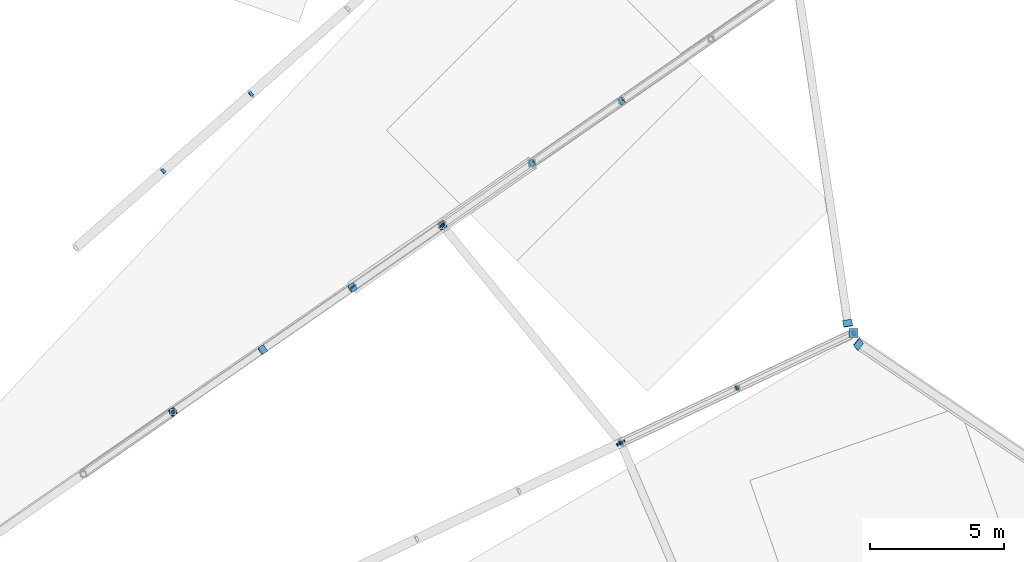
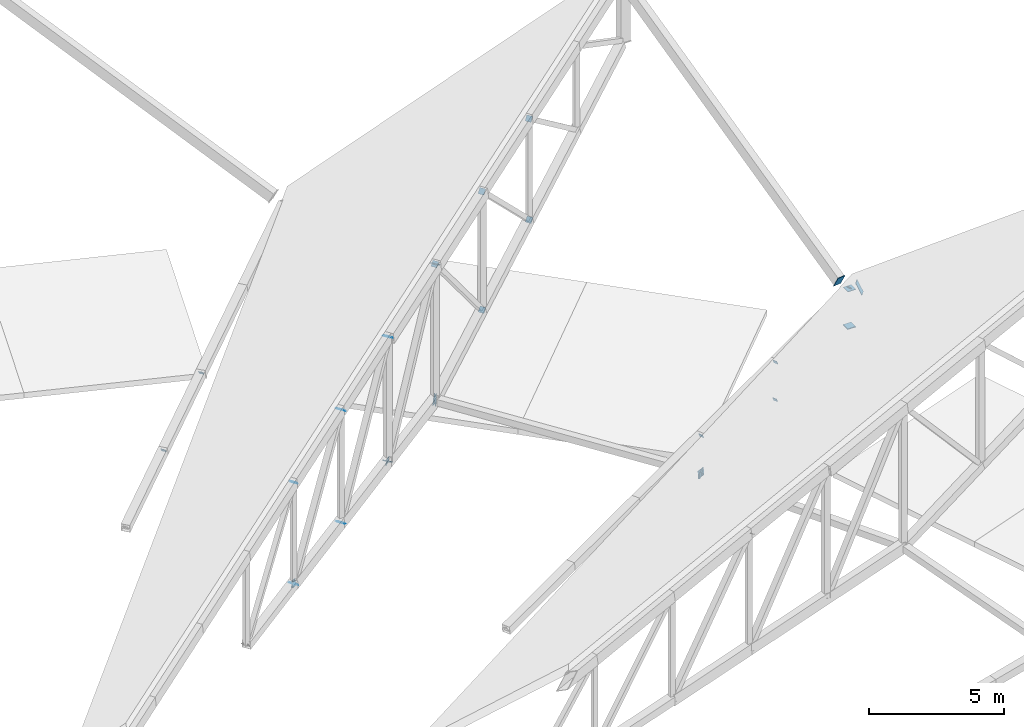
# One storey, part 183 of 188: 31 discrete accessories.
"""IFC4 building model written with IfcOpenShell, lengths in metres."""

from ifc_helpers import new_model, si_unit, direction, frame, origin, origin_2d, place, context, subcontext, project, spatial, rectangle, extrude, material, material_profile, profile_set, type_object, element, save


model = new_model("IFC4")

# Units and contexts
model_context = context("Model", 3, precision=1e-05, world=origin(), true_north=direction((0.0, 1.0)))
body_context = subcontext(model_context, "Body", "Model", "MODEL_VIEW")
ifc_project = project(units=[si_unit("LENGTHUNIT", "METRE"), si_unit("AREAUNIT", "SQUARE_METRE"), si_unit("VOLUMEUNIT", "CUBIC_METRE"), si_unit("PLANEANGLEUNIT", "RADIAN"), si_unit("MASSUNIT", "GRAM", prefix="KILO")], contexts=[model_context])

# Site, building, storey
site_placement = place(None, origin())
site = spatial("IfcSite", under=ifc_project, at=site_placement, CompositionType="ELEMENT")
building_placement = place(site_placement, origin())
building = spatial("IfcBuilding", under=site, at=building_placement, Name="Meseta Stadium", CompositionType="ELEMENT")
storey_placement = place(building_placement, frame((0.0, 0.0, 30.0)))
storey = spatial("IfcBuildingStorey", under=building, at=storey_placement, Name="ROOF", CompositionType="ELEMENT", Elevation=30.0)

# Discrete accessories
ifc_material_1 = material(Name="Steel S355", Category="steel")
ifc_material_profile_1 = material_profile(ifc_material_1, rectangle(XDim=0.179931640625, YDim=0.179931640625, at=origin_2d()), Name="PL 180x180")
ifc_profile_set_1 = profile_set([ifc_material_profile_1], Name="Steel S355")
discrete_accessory_type_1 = type_object("IfcDiscreteAccessoryType", Name="End plate 180x180x20", PredefinedType="ANCHORPLATE", material=ifc_profile_set_1)
for number, where, z_axis, x_axis, name in (
    (1, (78.4453125, 71.756103515625, 2.465087890625), (0.807162077407, 0.379121581812, 0.452499952486), (-0.425136471467, 0.905129261834, 0.0), "End plate of ROOF TRUSS RT-11 diagonal"),
    (2, (78.428955078125, 71.748291015625, 0.77685546875), (0.816223885151, 0.389838273505, 0.426385611646), (-0.430978873925, 0.90236201728, 0.0), "End plate of ROOF TRUSS RT-11 diagonal"),
    (3, (82.798095703125, 73.806396484375, 3.0205078125), (0.820435500181, 0.391849791131, 0.416340403077), (-0.430978873925, 0.90236201728, 0.0), "End plate of ROOF TRUSS RT-11 diagonal"),
    (4, (82.78173828125, 73.798583984375, 1.33251953125), (0.820435500181, 0.391849791131, 0.416340403077), (-0.430978873925, 0.90236201728, 0.0), "End plate of ROOF TRUSS RT-11 diagonal"),
    (5, (87.15087890625, 75.856689453125, 3.575927734375), (0.816223885151, 0.389838273505, 0.426385611646), (-0.430978873925, 0.90236201728, 0.0), "End plate of ROOF TRUSS RT-11 diagonal"),
    (6, (61.34521484375, 81.91259765625, 1.62451171875), (0.613369973061, 0.539765576293, 0.576567774677), (-0.660627894892, 0.750713516923, 0.0), "End plate of ROOF TRUSS RT-13 diagonal"),
    (7, (64.6220703125, 84.79248046875, 2.227783203125), (0.613369973061, 0.539765576293, 0.576567774677), (-0.660627894892, 0.750713516923, 0.0), "End plate of ROOF TRUSS RT-13 diagonal"),
):
    element("IfcDiscreteAccessory", number, at=place(storey_placement, frame(where, z_axis=z_axis, x_axis=x_axis)), inside=storey, type_object=discrete_accessory_type_1, Name=name, PredefinedType="ANCHORPLATE", context=body_context, shape_type="SweptSolid", body=[
        extrude(rectangle(XDim=0.179931640625, YDim=0.179931640625, at=origin_2d()), origin(), (0.0, 0.0, 1.0), 0.02001953125),
    ])
ifc_material_2 = material(Name="Steel S355", Category="steel")
ifc_material_profile_2 = material_profile(ifc_material_2, rectangle(XDim=0.239990234375, YDim=0.239990234375, at=origin_2d()), Name="PL 240x240")
ifc_profile_set_2 = profile_set([ifc_material_profile_2], Name="Steel S355")
discrete_accessory_type_2 = type_object("IfcDiscreteAccessoryType", Name="End plate 240x240x20", PredefinedType="ANCHORPLATE", material=ifc_profile_set_2)
discrete_accessory_1_placement = place(storey_placement, frame((61.710205078125, 72.913818359375, 5.5107421875), z_axis=(0.538349662656, 0.367056588174, 0.75858361556), x_axis=(-0.563336824642, 0.826227342808, 0.0)))
element("IfcDiscreteAccessory", 8, at=discrete_accessory_1_placement, inside=storey, type_object=discrete_accessory_type_2, Name="End plate of ROOF TRUSS RT-12 diagonal", PredefinedType="ANCHORPLATE", context=body_context, shape_type="SweptSolid", body=[
    extrude(rectangle(XDim=0.239990234375, YDim=0.239990234375, at=origin_2d()), origin(), (0.0, 0.0, 1.0), 0.02001953125),
])
discrete_accessory_2_placement = place(storey_placement, frame((71.764404296875, 79.88134765625, 7.63671875), z_axis=(0.544505363404, 0.37510369479, -0.750207389579), x_axis=(-0.567305236251, 0.82350760101, 0.0)))
element("IfcDiscreteAccessory", 9, at=discrete_accessory_2_placement, inside=storey, type_object=discrete_accessory_type_2, Name="End plate of ROOF TRUSS RT-12 diagonal", PredefinedType="ANCHORPLATE", context=body_context, shape_type="SweptSolid", body=[
    extrude(rectangle(XDim=0.239990234375, YDim=0.239990234375, at=origin_2d()), origin(), (0.0, 0.0, 1.0), 0.020263671875),
])
for number, where, z_axis, x_axis, name in (
    (10, (75.125, 82.210205078125, 2.98193359375), (0.538349662656, 0.367056588174, -0.75858361556), (-0.563336824642, 0.826227342808, 0.0), "End plate of ROOF TRUSS RT-12 diagonal"),
    (11, (75.113037109375, 82.201904296875, 8.337890625), (0.598943239908, 0.415593268508, -0.684506559895), (-0.570081548206, 0.821588113591, 0.0), "End plate of ROOF TRUSS RT-12 diagonal"),
    (12, (78.474609375, 84.53125, 4.465087890625), (0.598943239908, 0.415593268508, -0.684506559895), (-0.570081548206, 0.821588113591, 0.0), "End plate of ROOF TRUSS RT-12 diagonal"),
    (13, (78.46142578125, 84.522216796875, 9.03857421875), (0.66040533606, 0.452499952486, -0.599256693833), (-0.565231440294, 0.824932372321, 0.0), "End plate of ROOF TRUSS RT-12 diagonal"),
):
    element("IfcDiscreteAccessory", number, at=place(storey_placement, frame(where, z_axis=z_axis, x_axis=x_axis)), inside=storey, type_object=discrete_accessory_type_2, Name=name, PredefinedType="ANCHORPLATE", context=body_context, shape_type="SweptSolid", body=[
        extrude(rectangle(XDim=0.239990234375, YDim=0.239990234375, at=origin_2d()), origin(), (0.0, 0.0, 1.0), 0.02001953125),
    ])
ifc_material_3 = material(Name="Steel S355", Category="steel")
ifc_material_profile_3 = material_profile(ifc_material_3, rectangle(XDim=0.260009765625, YDim=0.260009765625, at=origin_2d()), Name="PL 260x260")
ifc_profile_set_3 = profile_set([ifc_material_profile_3], Name="Steel S355")
discrete_accessory_type_3 = type_object("IfcDiscreteAccessoryType", Name="End plate 260x260x20", PredefinedType="ANCHORPLATE", material=ifc_profile_set_3)
discrete_accessory_3_placement = place(storey_placement, frame((61.710205078125, 72.913818359375, 0.962158203125), z_axis=(-0.617286862498, 0.762530830144, 0.193658623529), x_axis=(-0.777244870707, -0.629198228668, 0.0)))
element("IfcDiscreteAccessory", 14, at=discrete_accessory_3_placement, inside=storey, type_object=discrete_accessory_type_3, Name="End plate of ROOF TRUSS STRUT RT-11/12", PredefinedType="ANCHORPLATE", context=body_context, shape_type="SweptSolid", body=[
    extrude(rectangle(XDim=0.260009765625, YDim=0.260009765625, at=origin_2d()), origin(), (0.0, 0.0, 1.0), 0.020263671875),
])
for number, where, z_axis, x_axis, name in (
    (15, (68.420166015625, 77.56396484375, 1.31982421875), (-0.625355108861, 0.772497487417, 0.110356783917), (-0.777244870707, -0.629198228668, 0.0), "End plate of ROOF TRUSS STRUT RT-11/12"),
    (16, (61.7197265625, 72.8974609375, 0.96875), (-0.475080143347, 0.816163323186, -0.328901637702), (-0.864246375176, -0.50306878555, 0.0), "End plate of ROOF TRUSS STRUT RT-12/13"),
):
    element("IfcDiscreteAccessory", number, at=place(storey_placement, frame(where, z_axis=z_axis, x_axis=x_axis)), inside=storey, type_object=discrete_accessory_type_3, Name=name, PredefinedType="ANCHORPLATE", context=body_context, shape_type="SweptSolid", body=[
        extrude(rectangle(XDim=0.260009765625, YDim=0.260009765625, at=origin_2d()), origin(), (0.0, 0.0, 1.0), 0.02001953125),
    ])
ifc_material_4 = material(Name="Steel S355", Category="steel")
ifc_material_profile_4 = material_profile(ifc_material_4, rectangle(XDim=0.2900390625, YDim=0.2900390625, at=origin_2d()), Name="PL 290x290")
ifc_profile_set_4 = profile_set([ifc_material_profile_4], Name="Steel S355")
discrete_accessory_type_4 = type_object("IfcDiscreteAccessoryType", Name="End plate 290x290x20", PredefinedType="ANCHORPLATE", material=ifc_profile_set_4)
discrete_accessory_4_placement = place(storey_placement, frame((61.699951171875, 72.90673828125, 0.9462890625), z_axis=(0.508205005844, 0.350903456416, 0.786507747139), x_axis=(-0.568190717083, 0.822896900602, 0.0)))
element("IfcDiscreteAccessory", 17, at=discrete_accessory_4_placement, inside=storey, type_object=discrete_accessory_type_4, Name="End plate of ROOF TRUSS RT-12 diagonal", PredefinedType="ANCHORPLATE", context=body_context, shape_type="SweptSolid", body=[
    extrude(rectangle(XDim=0.2900390625, YDim=0.2900390625, at=origin_2d()), origin(), (0.0, 0.0, 1.0), 0.020263671875),
])
for number, where, z_axis, x_axis, name in (
    (18, (65.065185546875, 75.23876953125, 6.21435546875), (0.499147041841, 0.353055224717, 0.79133067609), (-0.577464720627, 0.816415639507, 0.0), "End plate of ROOF TRUSS RT-12 diagonal"),
    (19, (65.0556640625, 75.232177734375, 1.124755859375), (0.475080143347, 0.328901637702, 0.816163323186), (-0.56920997883, 0.822192191644, 0.0), "End plate of ROOF TRUSS RT-12 diagonal"),
    (20, (68.420166015625, 77.56396484375, 6.91796875), (0.476959409377, 0.317972939585, 0.819391805853), (-0.554700196225, 0.832050294338, 0.0), "End plate of ROOF TRUSS RT-12 diagonal"),
    (21, (68.411376953125, 77.5576171875, 1.302978515625), (0.438730870209, 0.31686118404, 0.840900834567), (-0.585490553844, 0.8106792284, 0.0), "End plate of ROOF TRUSS RT-12 diagonal"),
    (22, (71.775390625, 79.888916015625, 7.62158203125), (0.450182954831, 0.304177672183, 0.839530375225), (-0.559857411278, 0.828588968691, 0.0), "End plate of ROOF TRUSS RT-12 diagonal"),
):
    element("IfcDiscreteAccessory", number, at=place(storey_placement, frame(where, z_axis=z_axis, x_axis=x_axis)), inside=storey, type_object=discrete_accessory_type_4, Name=name, PredefinedType="ANCHORPLATE", context=body_context, shape_type="SweptSolid", body=[
        extrude(rectangle(XDim=0.2900390625, YDim=0.2900390625, at=origin_2d()), origin(), (0.0, 0.0, 1.0), 0.02001953125),
    ])
ifc_material_5 = material(Name="Steel S355", Category="steel")
ifc_material_profile_5 = material_profile(ifc_material_5, rectangle(XDim=0.340087890625, YDim=0.340087890625, at=origin_2d()), Name="PL 340x340")
ifc_profile_set_5 = profile_set([ifc_material_profile_5], Name="Steel S355")
discrete_accessory_type_5 = type_object("IfcDiscreteAccessoryType", Name="End plate 340x340x20", PredefinedType="ANCHORPLATE", material=ifc_profile_set_5)
for number, where, z_axis, x_axis, name in (
    (23, (87.15087890625, 75.856689453125, 1.876220703125), (0.0, 0.0, 1.0), (1.0, 0.0, 0.0), "End plate of ROOF TRUSS RT-11 post"),
    (24, (87.15087890625, 75.856689453125, 3.575927734375), (0.0, 0.0, 1.0), (1.0, 0.0, 0.0), "End plate of ROOF TRUSS RT-11 post"),
    (25, (87.15087890625, 75.856689453125, 1.896240234375), (0.0, 0.0, 1.0), (1.0, 0.0, 0.0), "End plate of ROOF RIM POST RT-11"),
    (26, (78.4453125, 71.756103515625, 0.785400390625), (-0.391702981418, 0.918053862699, -0.061203590847), (-0.919778168081, -0.392438685048, 0.0), "End plate of ROOF PIVOT STRUT RT-10/11"),
):
    element("IfcDiscreteAccessory", number, at=place(storey_placement, frame(where, z_axis=z_axis, x_axis=x_axis)), inside=storey, type_object=discrete_accessory_type_5, Name=name, PredefinedType="ANCHORPLATE", context=body_context, shape_type="SweptSolid", body=[
        extrude(rectangle(XDim=0.340087890625, YDim=0.340087890625, at=origin_2d()), origin(), (0.0, 0.0, 1.0), 0.02001953125),
    ])
discrete_accessory_5_placement = place(storey_placement, frame((78.4580078125, 71.740478515625, 0.783935546875), z_axis=(-0.628930007985, 0.774067702136, 0.072568847075), x_axis=(-0.776114000116, -0.630592625094, 0.0)))
element("IfcDiscreteAccessory", 27, at=discrete_accessory_5_placement, inside=storey, type_object=discrete_accessory_type_5, Name="End plate of ROOF PIVOT STRUT RT-11/12", PredefinedType="ANCHORPLATE", context=body_context, shape_type="SweptSolid", body=[
    extrude(rectangle(XDim=0.340087890625, YDim=0.340087890625, at=origin_2d()), origin(), (0.0, 0.0, 1.0), 0.020263671875),
])
for number, where, z_axis, x_axis, name in (
    (28, (71.775390625, 79.888916015625, 1.498779296875), (-0.635375949962, 0.769782400916, 0.061093841343), (-0.771223025002, -0.63656503651, 0.0), "End plate of ROOF PIVOT STRUT RT-11/12"),
    (29, (71.79150390625, 79.877685546875, 1.502685546875), (-0.804638751005, 0.560808826458, -0.195063939638), (-0.571792661688, -0.82039816677, 0.0), "End plate of ROOF PIVOT STRUT RT-12/13"),
):
    element("IfcDiscreteAccessory", number, at=place(storey_placement, frame(where, z_axis=z_axis, x_axis=x_axis)), inside=storey, type_object=discrete_accessory_type_5, Name=name, PredefinedType="ANCHORPLATE", context=body_context, shape_type="SweptSolid", body=[
        extrude(rectangle(XDim=0.340087890625, YDim=0.340087890625, at=origin_2d()), origin(), (0.0, 0.0, 1.0), 0.02001953125),
    ])
ifc_material_6 = material(Name="Steel S355", Category="steel")
ifc_material_profile_6 = material_profile(ifc_material_6, rectangle(XDim=0.340087890625, YDim=0.5400390625, at=origin_2d()), Name="PL 340x540")
ifc_profile_set_6 = profile_set([ifc_material_profile_6], Name="Steel S355")
discrete_accessory_type_6 = type_object("IfcDiscreteAccessoryType", Name="End plate 340x540x20", PredefinedType="ANCHORPLATE", material=ifc_profile_set_6)
for number, where, z_axis, x_axis, name in (
    (30, (87.33984375, 75.43505859375, 3.82080078125), (-0.741316092871, 0.498261636192, -0.449650744856), (-0.61395989148, -0.774081448651, 0.154438215827), "End plate of RIM RING BEAM 11"),
    (31, (86.929931640625, 76.217041015625, 3.78515625), (-0.122600216831, 0.882721561183, 0.453620802274), (-0.98833003089, -0.150226200685, 0.025215841633), "End plate of RIM RING BEAM 12"),
):
    element("IfcDiscreteAccessory", number, at=place(storey_placement, frame(where, z_axis=z_axis, x_axis=x_axis)), inside=storey, type_object=discrete_accessory_type_6, Name=name, PredefinedType="ANCHORPLATE", context=body_context, shape_type="SweptSolid", body=[
        extrude(rectangle(XDim=0.340087890625, YDim=0.5400390625, at=origin_2d()), origin(), (0.0, 0.0, 1.0), 0.02001953125),
    ])

save(model, "model.ifc")
